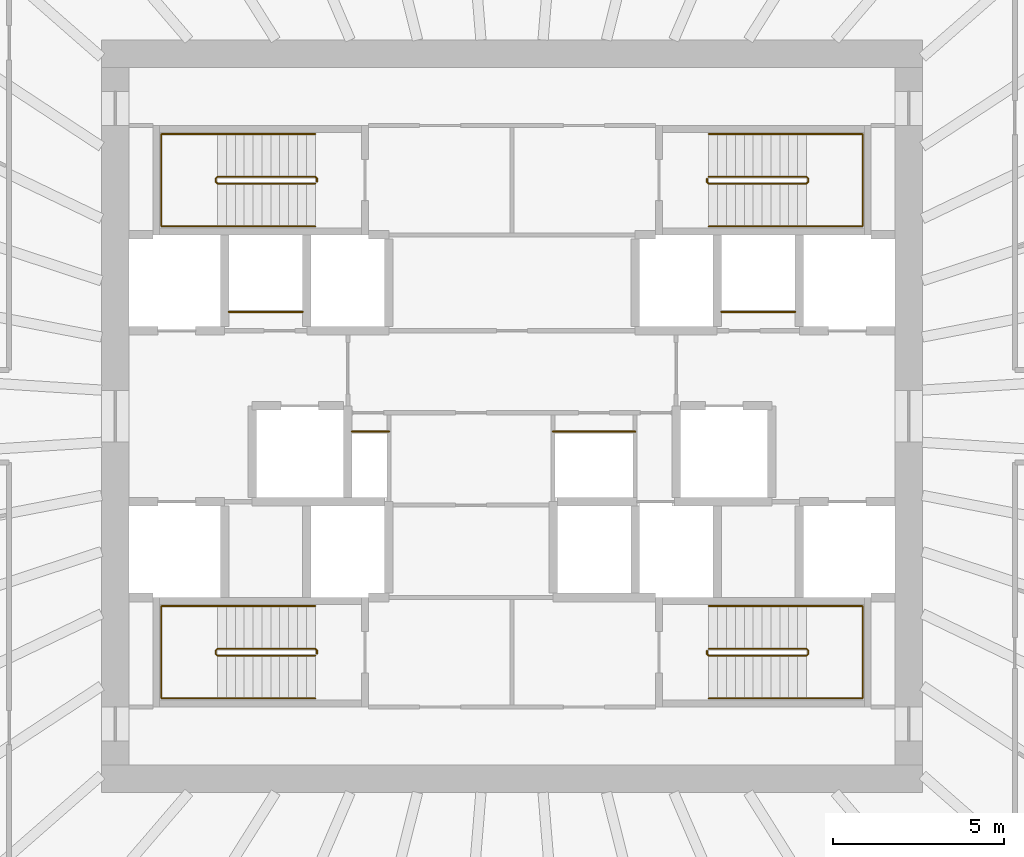
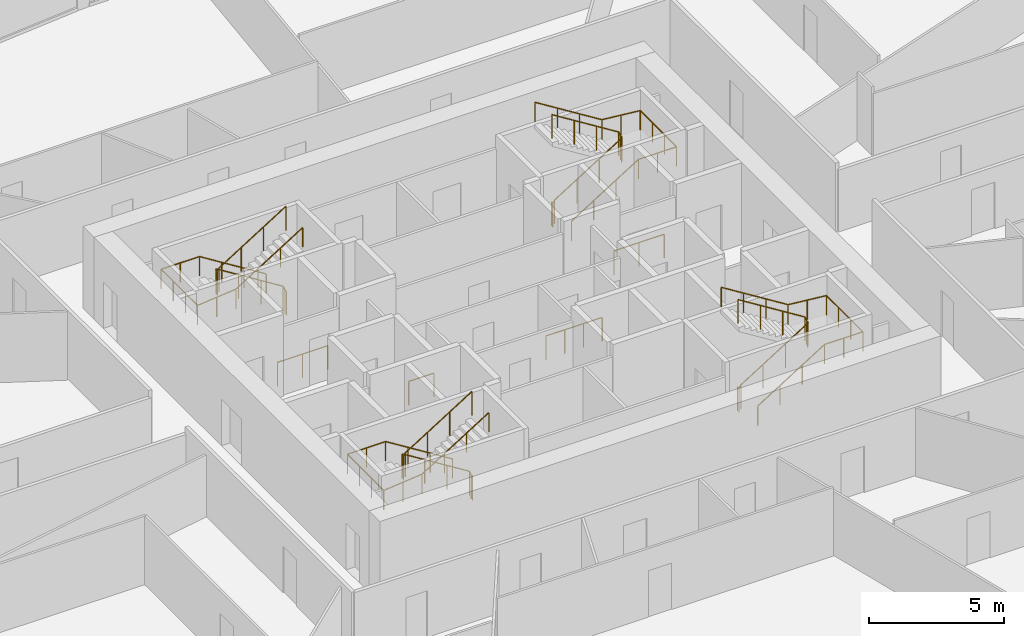
# One storey, part 10 of 10: 12 railings.
"""IFC4 building model written with IfcOpenShell, lengths in metres."""

from ifc_helpers import new_model, si_unit, direction, frame, origin, origin_2d, place, context, subcontext, project, spatial, circle, extrude, source, transform, mapped, material, type_object, element, save


model = new_model("IFC4")

# Units and contexts
model_context = context("Model", 3, precision=1e-05, world=origin(), true_north=direction((0.0, 1.0)))
body_context = subcontext(model_context, "Body", "Model", "MODEL_VIEW")
ifc_project = project(units=[si_unit("LENGTHUNIT", "METRE"), si_unit("AREAUNIT", "SQUARE_METRE"), si_unit("VOLUMEUNIT", "CUBIC_METRE"), si_unit("PLANEANGLEUNIT", "RADIAN"), si_unit("MASSUNIT", "GRAM", prefix="KILO")], contexts=[model_context])

# Site, building, storey
site_placement = place(None, origin())
site = spatial("IfcSite", under=ifc_project, at=site_placement, CompositionType="ELEMENT")
building_placement = place(site_placement, origin())
building = spatial("IfcBuilding", under=site, at=building_placement, Name="Embergate Tower", CompositionType="ELEMENT")
storey_placement = place(building_placement, frame((0.0, 0.0, 163.800048828125)))
storey = spatial("IfcBuildingStorey", under=building, at=storey_placement, Name="L36", CompositionType="ELEMENT", Elevation=163.800048828125)

# Railings
ifc_material_1 = material(Name="Stair guard 1100")
railing_type_1 = type_object("IfcRailingType", Name="Stair guard 1100", PredefinedType="GUARDRAIL", material=ifc_material_1)
shared_shape_1 = source(origin(), body_context, "Body", "SweptSolid", [
    extrude(circle(Radius=0.02392578125, at=origin_2d()), frame((0.0, 0.0, 1.076171875), z_axis=(0.0, 1.0, 0.0), x_axis=(-1.0, 0.0, 0.0)), (0.0, 0.0, 1.0), 0.099853515625),
    extrude(circle(Radius=0.02392578125, at=origin_2d()), frame((0.0, 0.099853515625, 1.076171875), z_axis=(-0.282583949758, 0.282583949758, 0.916674763849), x_axis=(-0.707106781187, -0.707106781187, 0.0)), (0.0, 0.0, 1.0), 0.177001953125),
    extrude(circle(Radius=0.02392578125, at=origin_2d()), frame((-0.050048828125, 0.14990234375, 1.23828125), z_axis=(-0.847994237388, 0.0, 0.530005446535), x_axis=(0.0, -1.0, 0.0)), (0.0, 0.0, 1.0), 3.372802734375),
    extrude(circle(Radius=0.02392578125, at=origin_2d()), frame((-2.91015625, 0.14990234375, 3.02587890625), z_axis=(-0.705375805398, -0.708833529934, 0.0), x_axis=(0.708833529934, -0.705375805398, 0.0)), (0.0, 0.0, 1.0), 0.070556640625),
    extrude(circle(Radius=0.02392578125, at=origin_2d()), frame((-2.9599609375, 0.099853515625, 3.02587890625), z_axis=(0.0, -1.0, 0.0), x_axis=(1.0, 0.0, 0.0)), (0.0, 0.0, 1.0), 0.099853515625),
    extrude(circle(Radius=0.02392578125, at=origin_2d()), frame((-2.9599609375, 0.0, 3.02587890625), z_axis=(0.280959487676, -0.282336740067, 0.917250092119), x_axis=(0.708833529934, 0.705375805398, 0.0)), (0.0, 0.0, 1.0), 0.17724609375),
    extrude(circle(Radius=0.02392578125, at=origin_2d()), frame((-2.91015625, -0.050048828125, 3.1884765625), z_axis=(0.848026770018, 0.0, 0.529953391661), x_axis=(0.0, 1.0, 0.0)), (0.0, 0.0, 1.0), 3.37255859375),
    extrude(circle(Radius=0.02099609375, at=origin_2d()), origin(), (0.0, 0.0, 1.0), 1.052001953125),
    extrude(circle(Radius=0.02099609375, at=origin_2d()), frame((0.0, 0.099853515625, 0.0)), (0.0, 0.0, 1.0), 1.052001953125),
    extrude(circle(Radius=0.02099609375, at=origin_2d()), frame((-0.050048828125, 0.14990234375, 0.162353515625)), (0.0, 0.0, 1.0), 1.052001953125),
    extrude(circle(Radius=0.02099609375, at=origin_2d()), frame((-1.00341796875, 0.14990234375, 0.75830078125)), (0.0, 0.0, 1.0), 1.052001953125),
    extrude(circle(Radius=0.02099609375, at=origin_2d()), frame((-1.956787109375, 0.14990234375, 1.35400390625)), (0.0, 0.0, 1.0), 1.052001953125),
    extrude(circle(Radius=0.02099609375, at=origin_2d()), frame((-2.91015625, 0.14990234375, 1.949951171875)), (0.0, 0.0, 1.0), 1.052001953125),
    extrude(circle(Radius=0.02099609375, at=origin_2d()), frame((-2.9599609375, 0.099853515625, 1.949951171875)), (0.0, 0.0, 1.0), 1.052001953125),
    extrude(circle(Radius=0.02099609375, at=origin_2d()), frame((-2.9599609375, 0.0, 1.949951171875)), (0.0, 0.0, 1.0), 1.052001953125),
    extrude(circle(Radius=0.02099609375, at=origin_2d()), frame((-2.91015625, -0.050048828125, 2.112548828125)), (0.0, 0.0, 1.0), 1.052001953125),
    extrude(circle(Radius=0.02099609375, at=origin_2d()), frame((-1.956787109375, -0.050048828125, 2.708251953125)), (0.0, 0.0, 1.0), 1.052001953125),
    extrude(circle(Radius=0.02099609375, at=origin_2d()), frame((-1.00341796875, -0.050048828125, 3.30419921875)), (0.0, 0.0, 1.0), 1.052001953125),
    extrude(circle(Radius=0.02099609375, at=origin_2d()), frame((-0.050048828125, -0.050048828125, 3.89990234375)), (0.0, 0.0, 1.0), 1.052001953125),
])
for number, where, name in (
    (1, (-5.699951171875, 6.85009765625, 0.0), "L36 ST1 stair guard 1"),
    (2, (-5.699951171875, -6.949951171875, 0.0), "L36 ST3 stair guard 1"),
):
    element("IfcRailing", number, at=place(storey_placement, frame(where)), inside=storey, type_object=railing_type_1, Name=name, PredefinedType="GUARDRAIL", context=body_context, shape_type="MappedRepresentation", body=[
        mapped(shared_shape_1, transform((0.0, 0.0, 0.0))),
    ])
ifc_material_2 = material(Name="Stair handrail 900")
railing_type_2 = type_object("IfcRailingType", Name="Stair handrail 900", PredefinedType="HANDRAIL", material=ifc_material_2)
shared_shape_2 = source(origin(), body_context, "Body", "SweptSolid", [
    extrude(circle(Radius=0.02392578125, at=origin_2d()), frame((0.0, 0.0, 0.8759765625), z_axis=(-0.847994237388, 0.0, 0.530005446535), x_axis=(0.0, -1.0, 0.0)), (0.0, 0.0, 1.0), 3.372802734375),
    extrude(circle(Radius=0.02392578125, at=origin_2d()), frame((-2.860107421875, 0.0, 2.66357421875), z_axis=(-1.0, 0.0, 0.0), x_axis=(0.0, -1.0, 0.0)), (0.0, 0.0, 1.0), 1.639892578125),
    extrude(circle(Radius=0.02392578125, at=origin_2d()), frame((-4.5, 0.0, 2.66357421875), z_axis=(0.0, -1.0, 0.0), x_axis=(1.0, 0.0, 0.0)), (0.0, 0.0, 1.0), 2.699951171875),
    extrude(circle(Radius=0.02392578125, at=origin_2d()), frame((-4.5, -2.699951171875, 2.66357421875), z_axis=(0.995120448088, 0.0, 0.098667592441), x_axis=(0.0, 1.0, 0.0)), (0.0, 0.0, 1.0), 1.64794921875),
    extrude(circle(Radius=0.02392578125, at=origin_2d()), frame((-2.860107421875, -2.699951171875, 2.826171875), z_axis=(0.848026770018, 0.0, 0.529953391661), x_axis=(0.0, 1.0, 0.0)), (0.0, 0.0, 1.0), 3.37255859375),
    extrude(circle(Radius=0.02099609375, at=origin_2d()), origin(), (0.0, 0.0, 1.0), 0.851806640625),
    extrude(circle(Radius=0.02099609375, at=origin_2d()), frame((-0.953369140625, 0.0, 0.595947265625)), (0.0, 0.0, 1.0), 0.851806640625),
    extrude(circle(Radius=0.02099609375, at=origin_2d()), frame((-1.90673828125, 0.0, 1.191650390625)), (0.0, 0.0, 1.0), 0.851806640625),
    extrude(circle(Radius=0.02099609375, at=origin_2d()), frame((-2.860107421875, 0.0, 1.78759765625)), (0.0, 0.0, 1.0), 0.851806640625),
    extrude(circle(Radius=0.02099609375, at=origin_2d()), frame((-3.68017578125, 0.0, 1.78759765625)), (0.0, 0.0, 1.0), 0.851806640625),
    extrude(circle(Radius=0.02099609375, at=origin_2d()), frame((-4.5, 0.0, 1.78759765625)), (0.0, 0.0, 1.0), 0.851806640625),
    extrude(circle(Radius=0.02099609375, at=origin_2d()), frame((-4.5, -0.89990234375, 1.78759765625)), (0.0, 0.0, 1.0), 0.851806640625),
    extrude(circle(Radius=0.02099609375, at=origin_2d()), frame((-4.5, -1.800048828125, 1.78759765625)), (0.0, 0.0, 1.0), 0.851806640625),
    extrude(circle(Radius=0.02099609375, at=origin_2d()), frame((-4.5, -2.699951171875, 1.78759765625)), (0.0, 0.0, 1.0), 0.851806640625),
    extrude(circle(Radius=0.02099609375, at=origin_2d()), frame((-3.68017578125, -2.699951171875, 1.868896484375)), (0.0, 0.0, 1.0), 0.851806640625),
    extrude(circle(Radius=0.02099609375, at=origin_2d()), frame((-2.860107421875, -2.699951171875, 1.9501953125)), (0.0, 0.0, 1.0), 0.851806640625),
    extrude(circle(Radius=0.02099609375, at=origin_2d()), frame((-1.90673828125, -2.699951171875, 2.5458984375)), (0.0, 0.0, 1.0), 0.851806640625),
    extrude(circle(Radius=0.02099609375, at=origin_2d()), frame((-0.953369140625, -2.699951171875, 3.141845703125)), (0.0, 0.0, 1.0), 0.851806640625),
    extrude(circle(Radius=0.02099609375, at=origin_2d()), frame((0.0, -2.699951171875, 3.737548828125)), (0.0, 0.0, 1.0), 0.851806640625),
])
for number, where, name in (
    (3, (-5.75, 8.25, 0.162353515625), "L36 ST1 stair handrail 1"),
    (4, (-5.75, -5.550048828125, 0.162353515625), "L36 ST3 stair handrail 1"),
):
    element("IfcRailing", number, at=place(storey_placement, frame(where)), inside=storey, type_object=railing_type_2, Name=name, PredefinedType="HANDRAIL", context=body_context, shape_type="MappedRepresentation", body=[
        mapped(shared_shape_2, transform((0.0, 0.0, 0.0))),
    ])
shared_shape_3 = source(origin(), body_context, "Body", "SweptSolid", [
    extrude(circle(Radius=0.02392578125, at=origin_2d()), frame((0.0, 0.0, 1.076171875), z_axis=(0.0, -1.0, 0.0), x_axis=(1.0, 0.0, 0.0)), (0.0, 0.0, 1.0), 0.099853515625),
    extrude(circle(Radius=0.02392578125, at=origin_2d()), frame((0.0, -0.099853515625, 1.076171875), z_axis=(0.282583949758, -0.282583949758, 0.916674763849), x_axis=(0.707106781187, 0.707106781187, 0.0)), (0.0, 0.0, 1.0), 0.177001953125),
    extrude(circle(Radius=0.02392578125, at=origin_2d()), frame((0.050048828125, -0.14990234375, 1.23828125), z_axis=(0.847994237388, 0.0, 0.530005446535), x_axis=(0.0, 1.0, 0.0)), (0.0, 0.0, 1.0), 3.372802734375),
    extrude(circle(Radius=0.02392578125, at=origin_2d()), frame((2.91015625, -0.14990234375, 3.02587890625), z_axis=(0.705375805398, 0.708833529934, 0.0), x_axis=(-0.708833529934, 0.705375805398, 0.0)), (0.0, 0.0, 1.0), 0.070556640625),
    extrude(circle(Radius=0.02392578125, at=origin_2d()), frame((2.9599609375, -0.099853515625, 3.02587890625), z_axis=(0.0, 1.0, 0.0), x_axis=(-1.0, 0.0, 0.0)), (0.0, 0.0, 1.0), 0.099853515625),
    extrude(circle(Radius=0.02392578125, at=origin_2d()), frame((2.9599609375, 0.0, 3.02587890625), z_axis=(-0.280959487676, 0.282336740067, 0.917250092119), x_axis=(-0.708833529934, -0.705375805398, 0.0)), (0.0, 0.0, 1.0), 0.17724609375),
    extrude(circle(Radius=0.02392578125, at=origin_2d()), frame((2.91015625, 0.050048828125, 3.1884765625), z_axis=(-0.848026770018, 0.0, 0.529953391661), x_axis=(0.0, -1.0, 0.0)), (0.0, 0.0, 1.0), 3.37255859375),
    extrude(circle(Radius=0.02099609375, at=origin_2d()), origin(), (0.0, 0.0, 1.0), 1.052001953125),
    extrude(circle(Radius=0.02099609375, at=origin_2d()), frame((0.0, -0.099853515625, 0.0)), (0.0, 0.0, 1.0), 1.052001953125),
    extrude(circle(Radius=0.02099609375, at=origin_2d()), frame((0.050048828125, -0.14990234375, 0.162353515625)), (0.0, 0.0, 1.0), 1.052001953125),
    extrude(circle(Radius=0.02099609375, at=origin_2d()), frame((1.00341796875, -0.14990234375, 0.75830078125)), (0.0, 0.0, 1.0), 1.052001953125),
    extrude(circle(Radius=0.02099609375, at=origin_2d()), frame((1.956787109375, -0.14990234375, 1.35400390625)), (0.0, 0.0, 1.0), 1.052001953125),
    extrude(circle(Radius=0.02099609375, at=origin_2d()), frame((2.91015625, -0.14990234375, 1.949951171875)), (0.0, 0.0, 1.0), 1.052001953125),
    extrude(circle(Radius=0.02099609375, at=origin_2d()), frame((2.9599609375, -0.099853515625, 1.949951171875)), (0.0, 0.0, 1.0), 1.052001953125),
    extrude(circle(Radius=0.02099609375, at=origin_2d()), frame((2.9599609375, 0.0, 1.949951171875)), (0.0, 0.0, 1.0), 1.052001953125),
    extrude(circle(Radius=0.02099609375, at=origin_2d()), frame((2.91015625, 0.050048828125, 2.112548828125)), (0.0, 0.0, 1.0), 1.052001953125),
    extrude(circle(Radius=0.02099609375, at=origin_2d()), frame((1.956787109375, 0.050048828125, 2.708251953125)), (0.0, 0.0, 1.0), 1.052001953125),
    extrude(circle(Radius=0.02099609375, at=origin_2d()), frame((1.00341796875, 0.050048828125, 3.30419921875)), (0.0, 0.0, 1.0), 1.052001953125),
    extrude(circle(Radius=0.02099609375, at=origin_2d()), frame((0.050048828125, 0.050048828125, 3.89990234375)), (0.0, 0.0, 1.0), 1.052001953125),
])
for number, where, name in (
    (5, (5.699951171875, 6.949951171875, 0.0), "L36 ST2 stair guard 1"),
    (6, (5.699951171875, -6.85009765625, 0.0), "L36 ST4 stair guard 1"),
):
    element("IfcRailing", number, at=place(storey_placement, frame(where)), inside=storey, type_object=railing_type_1, Name=name, PredefinedType="GUARDRAIL", context=body_context, shape_type="MappedRepresentation", body=[
        mapped(shared_shape_3, transform((0.0, 0.0, 0.0))),
    ])
shared_shape_4 = source(origin(), body_context, "Body", "SweptSolid", [
    extrude(circle(Radius=0.02392578125, at=origin_2d()), frame((0.0, 0.0, 0.8759765625), z_axis=(0.847994237388, 0.0, 0.530005446535), x_axis=(0.0, 1.0, 0.0)), (0.0, 0.0, 1.0), 3.372802734375),
    extrude(circle(Radius=0.02392578125, at=origin_2d()), frame((2.860107421875, 0.0, 2.66357421875), z_axis=(1.0, 0.0, 0.0), x_axis=(0.0, 1.0, 0.0)), (0.0, 0.0, 1.0), 1.639892578125),
    extrude(circle(Radius=0.02392578125, at=origin_2d()), frame((4.5, 0.0, 2.66357421875), z_axis=(0.0, 1.0, 0.0), x_axis=(-1.0, 0.0, 0.0)), (0.0, 0.0, 1.0), 2.699951171875),
    extrude(circle(Radius=0.02392578125, at=origin_2d()), frame((4.5, 2.699951171875, 2.66357421875), z_axis=(-0.995120448088, 0.0, 0.098667592441), x_axis=(0.0, -1.0, 0.0)), (0.0, 0.0, 1.0), 1.64794921875),
    extrude(circle(Radius=0.02392578125, at=origin_2d()), frame((2.860107421875, 2.699951171875, 2.826171875), z_axis=(-0.848026770018, 0.0, 0.529953391661), x_axis=(0.0, -1.0, 0.0)), (0.0, 0.0, 1.0), 3.37255859375),
    extrude(circle(Radius=0.02099609375, at=origin_2d()), origin(), (0.0, 0.0, 1.0), 0.851806640625),
    extrude(circle(Radius=0.02099609375, at=origin_2d()), frame((0.953369140625, 0.0, 0.595947265625)), (0.0, 0.0, 1.0), 0.851806640625),
    extrude(circle(Radius=0.02099609375, at=origin_2d()), frame((1.90673828125, 0.0, 1.191650390625)), (0.0, 0.0, 1.0), 0.851806640625),
    extrude(circle(Radius=0.02099609375, at=origin_2d()), frame((2.860107421875, 0.0, 1.78759765625)), (0.0, 0.0, 1.0), 0.851806640625),
    extrude(circle(Radius=0.02099609375, at=origin_2d()), frame((3.68017578125, 0.0, 1.78759765625)), (0.0, 0.0, 1.0), 0.851806640625),
    extrude(circle(Radius=0.02099609375, at=origin_2d()), frame((4.5, 0.0, 1.78759765625)), (0.0, 0.0, 1.0), 0.851806640625),
    extrude(circle(Radius=0.02099609375, at=origin_2d()), frame((4.5, 0.89990234375, 1.78759765625)), (0.0, 0.0, 1.0), 0.851806640625),
    extrude(circle(Radius=0.02099609375, at=origin_2d()), frame((4.5, 1.800048828125, 1.78759765625)), (0.0, 0.0, 1.0), 0.851806640625),
    extrude(circle(Radius=0.02099609375, at=origin_2d()), frame((4.5, 2.699951171875, 1.78759765625)), (0.0, 0.0, 1.0), 0.851806640625),
    extrude(circle(Radius=0.02099609375, at=origin_2d()), frame((3.68017578125, 2.699951171875, 1.868896484375)), (0.0, 0.0, 1.0), 0.851806640625),
    extrude(circle(Radius=0.02099609375, at=origin_2d()), frame((2.860107421875, 2.699951171875, 1.9501953125)), (0.0, 0.0, 1.0), 0.851806640625),
    extrude(circle(Radius=0.02099609375, at=origin_2d()), frame((1.90673828125, 2.699951171875, 2.5458984375)), (0.0, 0.0, 1.0), 0.851806640625),
    extrude(circle(Radius=0.02099609375, at=origin_2d()), frame((0.953369140625, 2.699951171875, 3.141845703125)), (0.0, 0.0, 1.0), 0.851806640625),
    extrude(circle(Radius=0.02099609375, at=origin_2d()), frame((0.0, 2.699951171875, 3.737548828125)), (0.0, 0.0, 1.0), 0.851806640625),
])
for number, where, name in (
    (7, (5.75, 5.550048828125, 0.162353515625), "L36 ST2 stair handrail 1"),
    (8, (5.75, -8.25, 0.162353515625), "L36 ST4 stair handrail 1"),
):
    element("IfcRailing", number, at=place(storey_placement, frame(where)), inside=storey, type_object=railing_type_2, Name=name, PredefinedType="HANDRAIL", context=body_context, shape_type="MappedRepresentation", body=[
        mapped(shared_shape_4, transform((0.0, 0.0, 0.0))),
    ])
ifc_material_3 = material(Name="Opening guard 1100")
railing_type_3 = type_object("IfcRailingType", Name="Opening guard 1100", PredefinedType="GUARDRAIL", material=ifc_material_3)
shared_shape_5 = source(origin(), body_context, "Body", "SweptSolid", [
    extrude(circle(Radius=0.02392578125, at=origin_2d()), frame((0.0, 0.0, 1.076171875), z_axis=(1.0, 0.0, 0.0), x_axis=(0.0, 1.0, 0.0)), (0.0, 0.0, 1.0), 2.14990234375),
    extrude(circle(Radius=0.02099609375, at=origin_2d()), origin(), (0.0, 0.0, 1.0), 1.052001953125),
    extrude(circle(Radius=0.02099609375, at=origin_2d()), frame((1.074951171875, 0.0, 0.0)), (0.0, 0.0, 1.0), 1.052001953125),
    extrude(circle(Radius=0.02099609375, at=origin_2d()), frame((2.14990234375, 0.0, 0.0)), (0.0, 0.0, 1.0), 1.052001953125),
])
for number, where, name in (
    (9, (-8.27490234375, 3.050048828125, 0.0), "Riser opening guard"),
    (10, (6.125, 3.050048828125, 0.0), "Riser opening guard"),
):
    element("IfcRailing", number, at=place(storey_placement, frame(where)), inside=storey, type_object=railing_type_3, Name=name, PredefinedType="GUARDRAIL", context=body_context, shape_type="MappedRepresentation", body=[
        mapped(shared_shape_5, transform((0.0, 0.0, 0.0))),
    ])
shared_shape_6 = source(origin(), body_context, "Body", "SweptSolid", [
    extrude(circle(Radius=0.02392578125, at=origin_2d()), frame((0.0, 0.0, 1.076171875), z_axis=(1.0, 0.0, 0.0), x_axis=(0.0, 1.0, 0.0)), (0.0, 0.0, 1.0), 1.074951171875),
    extrude(circle(Radius=0.02099609375, at=origin_2d()), origin(), (0.0, 0.0, 1.0), 1.052001953125),
    extrude(circle(Radius=0.02099609375, at=origin_2d()), frame((1.074951171875, 0.0, 0.0)), (0.0, 0.0, 1.0), 1.052001953125),
])
railing_1_placement = place(storey_placement, frame((-4.675048828125, -0.449951171875, 0.0)))
element("IfcRailing", 11, at=railing_1_placement, inside=storey, type_object=railing_type_3, Name="Riser opening guard", PredefinedType="GUARDRAIL", context=body_context, shape_type="MappedRepresentation", body=[
    mapped(shared_shape_6, transform((0.0, 0.0, 0.0))),
])
shared_shape_7 = source(origin(), body_context, "Body", "SweptSolid", [
    extrude(circle(Radius=0.02392578125, at=origin_2d()), frame((0.0, 0.0, 1.076171875), z_axis=(1.0, 0.0, 0.0), x_axis=(0.0, 1.0, 0.0)), (0.0, 0.0, 1.0), 2.400146484375),
    extrude(circle(Radius=0.02099609375, at=origin_2d()), origin(), (0.0, 0.0, 1.0), 1.052001953125),
    extrude(circle(Radius=0.02099609375, at=origin_2d()), frame((0.800048828125, 0.0, 0.0)), (0.0, 0.0, 1.0), 1.052001953125),
    extrude(circle(Radius=0.02099609375, at=origin_2d()), frame((1.60009765625, 0.0, 0.0)), (0.0, 0.0, 1.0), 1.052001953125),
    extrude(circle(Radius=0.02099609375, at=origin_2d()), frame((2.400146484375, 0.0, 0.0)), (0.0, 0.0, 1.0), 1.052001953125),
])
railing_2_placement = place(storey_placement, frame((1.199951171875, -0.449951171875, 0.0)))
element("IfcRailing", 12, at=railing_2_placement, inside=storey, type_object=railing_type_3, Name="Riser opening guard", PredefinedType="GUARDRAIL", context=body_context, shape_type="MappedRepresentation", body=[
    mapped(shared_shape_7, transform((0.0, 0.0, 0.0))),
])

save(model, "model.ifc")
